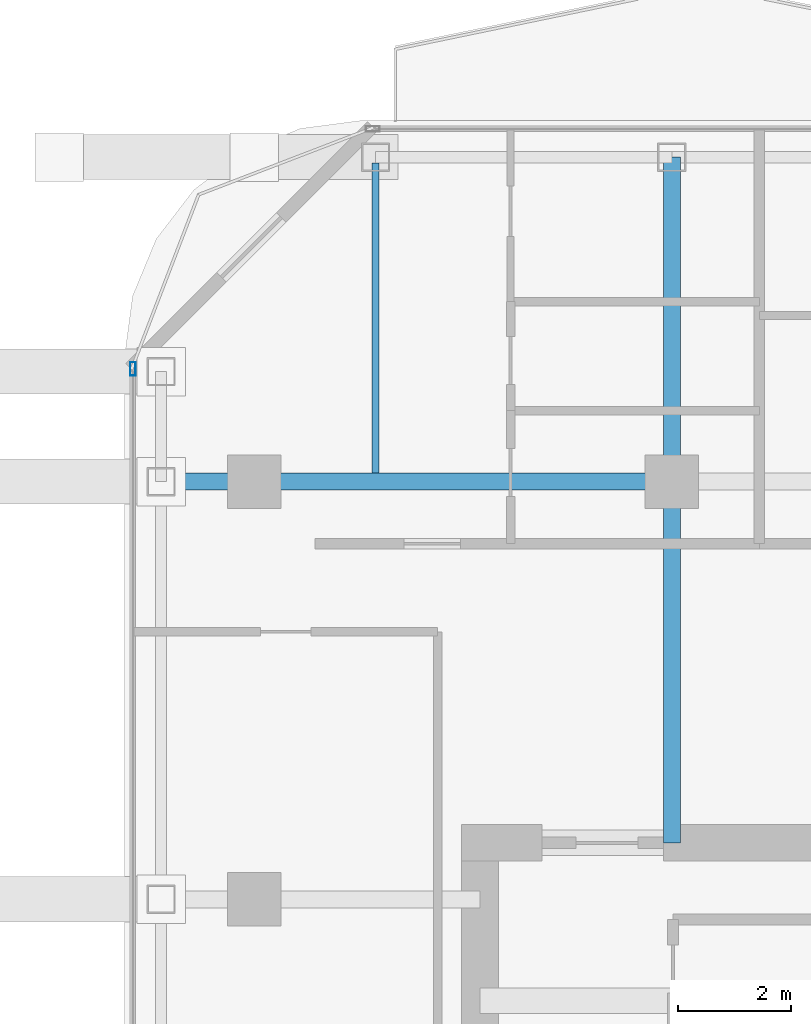
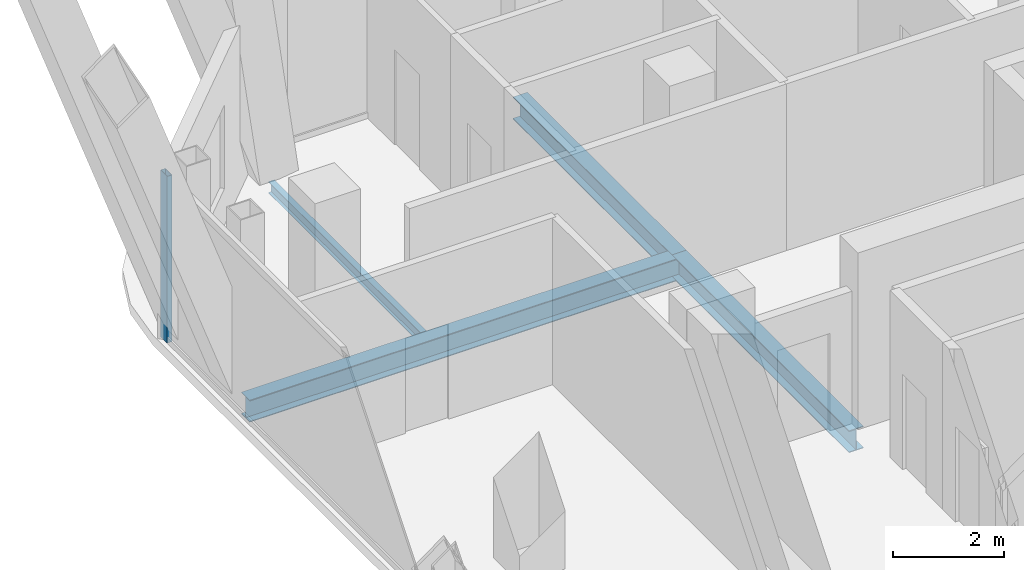
# One storey, part 11 of 27: 4 beams, 1 member, 1 element without a shape of its own.
"""IFC4 building model written with IfcOpenShell, lengths in metres."""

import ifcopenshell
import ifcopenshell.guid

model = None  # the IFC model being written
_history = None  # IfcOwnerHistory: only IFC2X3 demands one
_inside = {}  # id of a spatial element -> (the spatial element, [elements in it])
_under = {}  # id of a project, library or spatial element -> (it, [spatial elements below it])
_declared = {}  # id of a project -> (the project, [libraries it declares])
_typed = {}  # id of a type object -> (the type object, [elements of that type])
_made_of = {}  # id of a material, layer set ... -> (it, [elements and type objects made of it])


def new_model(schema):
    """Start an empty IFC model of exactly this schema.

    Asked for "IFC4X3", IfcOpenShell would pick the latest addendum, in which some entities
    have other attributes; the version numbers below select the first issue.
    IFC2X3 requires an IfcOwnerHistory on every rooted entity: one is made here for all.
    """
    global model, _history
    if schema == "IFC4X3":
        model = ifcopenshell.file(schema_version=(4, 3, 0, 0))
    else:
        model = ifcopenshell.file(schema=schema)
    _inside.clear()
    _under.clear()
    _declared.clear()
    _typed.clear()
    _made_of.clear()
    _history = None
    if model.schema == "IFC2X3":
        org = make("IfcOrganization", Name="unknown")
        user = make(
            "IfcPersonAndOrganization",
            ThePerson=make("IfcPerson", FamilyName="unknown"),
            TheOrganization=org,
        )
        app = make(
            "IfcApplication",
            ApplicationDeveloper=org,
            Version="unknown",
            ApplicationFullName="unknown",
            ApplicationIdentifier="unknown",
        )
        _history = make(
            "IfcOwnerHistory",
            OwningUser=user,
            OwningApplication=app,
            ChangeAction="ADDED",
            CreationDate=0,
        )
    return model


def make(cls, **values):
    """One entity of the class cls with the attributes given. An attribute that is None is left unset."""
    return model.create_entity(
        cls, **{name: value for name, value in values.items() if value is not None}
    )


def rooted(cls, **values):
    """An entity with a GlobalId (a new one), such as an element, a storey or a relation."""
    return make(cls, GlobalId=ifcopenshell.guid.new(), OwnerHistory=_history, **values)


def si_unit(unit_type, name, prefix=None):
    """IfcSIUnit, for example si_unit("LENGTHUNIT", "METRE", prefix="MILLI")."""
    return make("IfcSIUnit", UnitType=unit_type, Prefix=prefix, Name=name)


def assignment(units):
    """IfcUnitAssignment: the units of a project."""
    return None if units is None else make("IfcUnitAssignment", Units=units)


def point(xyz):
    """IfcCartesianPoint."""
    return None if xyz is None else make("IfcCartesianPoint", Coordinates=xyz)


def direction(xyz):
    """IfcDirection."""
    return None if xyz is None else make("IfcDirection", DirectionRatios=xyz)


def frame(location, z_axis=None, x_axis=None):
    """IfcAxis2Placement3D, a coordinate frame: its origin and axes. An axis left out is left unset."""
    return make(
        "IfcAxis2Placement3D",
        Location=point(location),
        Axis=direction(z_axis),
        RefDirection=direction(x_axis),
    )


def frame_2d(location, x_axis=None):
    """IfcAxis2Placement2D, a coordinate frame in the plane: its origin and x axis."""
    return make(
        "IfcAxis2Placement2D", Location=point(location), RefDirection=direction(x_axis)
    )


def origin():
    """The frame at (0, 0, 0) with its axes left unset."""
    return frame((0.0, 0.0, 0.0))


def origin_2d():
    """The frame at (0, 0) in the plane with its x axis left unset."""
    return frame_2d((0.0, 0.0))


def place(relative_to, where):
    """IfcLocalPlacement: puts the frame where relative to a parent placement (None: the world)."""
    return make(
        "IfcLocalPlacement", PlacementRelTo=relative_to, RelativePlacement=where
    )


def context(
    kind, dimensions, precision=None, world=None, true_north=None, identifier=None
):
    """IfcGeometricRepresentationContext, for example the 3D "Model" context."""
    return make(
        "IfcGeometricRepresentationContext",
        ContextIdentifier=identifier,
        ContextType=kind,
        CoordinateSpaceDimension=dimensions,
        Precision=precision,
        WorldCoordinateSystem=world,
        TrueNorth=true_north,
    )


def subcontext(parent, identifier, kind, view, scale=None):
    """IfcGeometricRepresentationSubContext, for example "Body" below "Model"."""
    return make(
        "IfcGeometricRepresentationSubContext",
        ContextIdentifier=identifier,
        ContextType=kind,
        ParentContext=parent,
        TargetScale=scale,
        TargetView=view,
    )


def project(units=None, contexts=None):
    """IfcProject with its units and contexts."""
    return rooted(
        "IfcProject",
        Name="project",
        RepresentationContexts=contexts,
        UnitsInContext=assignment(units),
    )


def spatial(cls, under=None, at=None, **own):
    """A site, building, storey or space (cls), placed at a placement, below another one or the project."""
    s = rooted(cls, ObjectPlacement=at, **own)
    if under is not None:
        _under.setdefault(under.id(), (under, []))[1].append(s)
    return s


def profile(cls, at=None, kind="AREA", **sizes):
    """A parametric profile (cls). Its sizes go by their IFC names, for example OverallWidth=200.0."""
    return make(cls, ProfileType=kind, Position=at, **sizes)


def hollow_rectangle(**sizes):
    """IfcRectangleHollowProfileDef."""
    return profile("IfcRectangleHollowProfileDef", **sizes)


def i_section(**sizes):
    """IfcIShapeProfileDef."""
    return profile("IfcIShapeProfileDef", **sizes)


def extrude(swept, where, along, depth):
    """IfcExtrudedAreaSolid: the profile swept, set in the frame where, extruded along a direction by depth."""
    return make(
        "IfcExtrudedAreaSolid",
        SweptArea=swept,
        Position=where,
        ExtrudedDirection=direction(along),
        Depth=depth,
    )


def shape(context_of_items, identifier, shape_type, items):
    """IfcShapeRepresentation: the items that make up one representation, for example the "Body"."""
    return make(
        "IfcShapeRepresentation",
        ContextOfItems=context_of_items,
        RepresentationIdentifier=identifier,
        RepresentationType=shape_type,
        Items=items,
    )


def material(Name=None, Category=None):
    """IfcMaterial."""
    return make("IfcMaterial", Name=Name, Category=Category)


def layer(
    of_material, thickness, ventilated=None, Name=None, Category=None, Priority=None
):
    """IfcMaterialLayer: one layer of a wall or slab, of a material (None: an air gap)."""
    return make(
        "IfcMaterialLayer",
        Material=of_material,
        LayerThickness=thickness,
        IsVentilated=ventilated,
        Name=Name,
        Category=Category,
        Priority=Priority,
    )


def layer_set(layers, Name=None):
    """IfcMaterialLayerSet."""
    return make("IfcMaterialLayerSet", MaterialLayers=layers, LayerSetName=Name)


def material_profile(
    of_material, cross_section, Name=None, Category=None, Priority=None
):
    """IfcMaterialProfile: a cross section and its material."""
    return make(
        "IfcMaterialProfile",
        Name=Name,
        Material=of_material,
        Profile=cross_section,
        Priority=Priority,
        Category=Category,
    )


def profile_set(profiles, Name=None, composite=None):
    """IfcMaterialProfileSet."""
    return make(
        "IfcMaterialProfileSet",
        Name=Name,
        MaterialProfiles=profiles,
        CompositeProfile=composite,
    )


def made_of(thing, what):
    """Note that an element or type object is made of a material, layer set ...; save() writes the relation."""
    if what is not None:
        _made_of.setdefault(what.id(), (what, []))[1].append(thing)
    return thing


def type_object(cls, material=None, **own):
    """A type object (cls), such as IfcWallType, which elements share."""
    return made_of(rooted(cls, **own), material)


def element(
    cls,
    number,
    at=None,
    inside=None,
    cuts=None,
    type_object=None,
    material=None,
    context=None,
    identifier="Body",
    shape_type=None,
    held_by="IfcProductDefinitionShape",
    body=None,
    shapes=None,
    **own,
):
    """One element of the class cls, such as IfcWall. Its Tag is "e" and its number.

    at: its placement. inside: the storey or other place that contains it. cuts: it is an
    opening in that element (IfcRelVoidsElement). A single representation is given by context,
    identifier, shape_type and body (its items); several are given by shapes. held_by: the class
    of the entity that holds the representations. save() writes the other relations.
    """
    e = rooted(cls, Tag="e%d" % number, ObjectPlacement=at, **own)
    if body is not None:
        shapes = [shape(context, identifier, shape_type, body)]
    if shapes is not None:
        e.Representation = make(held_by, Representations=shapes)
    if inside is not None:
        _inside.setdefault(inside.id(), (inside, []))[1].append(e)
    if cuts is not None:
        rooted(
            "IfcRelVoidsElement", RelatingBuildingElement=cuts, RelatedOpeningElement=e
        )
    if type_object is not None:
        _typed.setdefault(type_object.id(), (type_object, []))[1].append(e)
    return made_of(e, material)


def aggregate(whole, parts):
    """IfcRelAggregates: a whole, such as a stair, and the parts it consists of."""
    return rooted("IfcRelAggregates", RelatingObject=whole, RelatedObjects=parts)


def save(model, path):
    """Write the relations noted so far, then the file.

    IfcRelAggregates (storeys below a building ...), IfcRelContainedInSpatialStructure (elements
    in a storey), IfcRelDefinesByType, IfcRelAssociatesMaterial and IfcRelDeclares: one each for
    every whole, place, type object, material and project.
    """
    for whole, parts in _under.values():
        aggregate(whole, parts)
    for where, things in _inside.values():
        rooted(
            "IfcRelContainedInSpatialStructure",
            RelatedElements=things,
            RelatingStructure=where,
        )
    for kind, things in _typed.values():
        rooted("IfcRelDefinesByType", RelatedObjects=things, RelatingType=kind)
    for what, things in _made_of.values():
        rooted("IfcRelAssociatesMaterial", RelatedObjects=things, RelatingMaterial=what)
    for by, libraries in _declared.values():
        rooted("IfcRelDeclares", RelatingContext=by, RelatedDefinitions=libraries)
    model.write(path)


model = new_model("IFC4")

# Units and contexts
model_context = context("Model", 3, precision=1e-05, world=origin(), true_north=direction((0.0, 1.0)))
body_context = subcontext(model_context, "Body", "Model", "MODEL_VIEW")
ifc_project = project(units=[si_unit("LENGTHUNIT", "METRE"), si_unit("AREAUNIT", "SQUARE_METRE"), si_unit("VOLUMEUNIT", "CUBIC_METRE"), si_unit("PLANEANGLEUNIT", "RADIAN"), si_unit("MASSUNIT", "GRAM", prefix="KILO")], contexts=[model_context])

# Site, building, storey
site_placement = place(None, origin())
site = spatial("IfcSite", under=ifc_project, at=site_placement, CompositionType="ELEMENT")
building_placement = place(site_placement, origin())
building = spatial("IfcBuilding", under=site, at=building_placement, Name="Khorvyn Point Tower", CompositionType="ELEMENT")
storey_placement = place(building_placement, frame((0.0, 0.0, 270.300048828125)))
storey = spatial("IfcBuildingStorey", under=building, at=storey_placement, Name="L66", CompositionType="ELEMENT", Elevation=270.300048828125)

# Curtain wall, member
ifc_material_1 = material(Name="Anodised aluminium 6063-T6 and laminated Low-E glass", Category="aluminium")
ifc_layer = layer(ifc_material_1, 0.18994140625)
ifc_layer_set = layer_set([ifc_layer], Name="Stick-Built High-Wind Curtain Wall CW-SYS-04")
curtain_wall_type = type_object("IfcCurtainWallType", Name="Stick-Built High-Wind Curtain Wall CW-SYS-04", PredefinedType="NOTDEFINED", material=ifc_layer_set)
curtain_wall_placement = place(storey_placement, origin())
curtain_wall = element("IfcCurtainWall", 1, at=curtain_wall_placement, inside=storey, type_object=curtain_wall_type, Name="Curtain Wall", PredefinedType="NOTDEFINED")
ifc_material_2 = material(Name="Anodised aluminium 6063-T6", Category="aluminium")
ifc_material_profile_1 = material_profile(ifc_material_2, hollow_rectangle(XDim=0.10009765625, YDim=0.239990234375, WallThickness=0.0048828125, at=origin_2d()))
ifc_profile_set_1 = profile_set([ifc_material_profile_1], Name="Anodised aluminium 6063-T6 ALU-MUL-100x240")
member_type = type_object("IfcMemberType", Name="Anodised Aluminium 6063-T6 Mullion ALU-MUL-100x240", PredefinedType="MULLION", material=ifc_profile_set_1)
member_placement = place(storey_placement, frame((-16.949951171875, 16.800048828125, 0.0), z_axis=(0.0, 0.0, 1.0), x_axis=(-1.0, 0.0, 0.0)))
member = element("IfcMember", 2, at=member_placement, type_object=member_type, Name="Transom", PredefinedType="MULLION", context=body_context, shape_type="SweptSolid", body=[
    extrude(hollow_rectangle(XDim=0.10009765625, YDim=0.239990234375, WallThickness=0.0048828125, at=origin_2d()), origin(), (0.0, 0.0, 1.0), 3.679931640625),
])
aggregate(curtain_wall, [member])

# Beams
ifc_material_3 = material(Name="Steel S355", Category="steel")
ifc_material_profile_2 = material_profile(ifc_material_3, i_section(OverallWidth=0.125, OverallDepth=0.25, WebThickness=0.006103515625, FlangeThickness=0.009033203125, at=origin_2d()))
ifc_profile_set_2 = profile_set([ifc_material_profile_2], Name="Steel S355 H250x125x6x9")
beam_type_1 = type_object("IfcBeamType", Name="Steel S355 Joist H250x125x6x9", PredefinedType="JOIST", material=ifc_profile_set_2)
beam_1_placement = place(storey_placement, frame((-12.64990234375, 14.949951171875, -0.344970703125), z_axis=(0.0, 1.0, 0.0), x_axis=(-1.0, 0.0, 0.0)))
element("IfcBeam", 3, at=beam_1_placement, inside=storey, type_object=beam_type_1, Name="Beam", PredefinedType="JOIST", context=body_context, shape_type="SweptSolid", body=[
    extrude(i_section(OverallWidth=0.125, OverallDepth=0.25, WebThickness=0.006103515625, FlangeThickness=0.009033203125, at=origin_2d()), origin(), (0.0, 0.0, 1.0), 5.5),
])
ifc_material_profile_3 = material_profile(ifc_material_3, i_section(OverallWidth=0.300048828125, OverallDepth=0.488037109375, WebThickness=0.010986328125, FlangeThickness=0.01806640625, at=origin_2d()))
ifc_profile_set_3 = profile_set([ifc_material_profile_3], Name="Steel S355 H488x300x11x18")
beam_type_2 = type_object("IfcBeamType", Name="Steel S355 Spandrel H488x300x11x18", PredefinedType="SPANDREL", material=ifc_profile_set_3)
beam_2_placement = place(storey_placement, frame((-16.449951171875, 14.800048828125, -0.464111328125), z_axis=(1.0, 0.0, 0.0), x_axis=(0.0, 1.0, 0.0)))
element("IfcBeam", 4, at=beam_2_placement, inside=storey, type_object=beam_type_2, Name="Beam", PredefinedType="SPANDREL", context=body_context, shape_type="SweptSolid", body=[
    extrude(i_section(OverallWidth=0.300048828125, OverallDepth=0.488037109375, WebThickness=0.010986328125, FlangeThickness=0.01806640625, at=origin_2d()), origin(), (0.0, 0.0, 1.0), 9.050048828125),
])
beam_3_placement = place(storey_placement, frame((-7.39990234375, 8.39990234375, -0.464111328125), z_axis=(0.0, 1.0, 0.0), x_axis=(-1.0, 0.0, 0.0)))
element("IfcBeam", 5, at=beam_3_placement, inside=storey, type_object=beam_type_2, Name="Beam", PredefinedType="SPANDREL", context=body_context, shape_type="SweptSolid", body=[
    extrude(i_section(OverallWidth=0.300048828125, OverallDepth=0.488037109375, WebThickness=0.010986328125, FlangeThickness=0.01806640625, at=origin_2d()), origin(), (0.0, 0.0, 1.0), 6.400146484375),
])
beam_4_placement = place(storey_placement, frame((-7.39990234375, 14.800048828125, -0.464111328125), z_axis=(0.0, 1.0, 0.0), x_axis=(-1.0, 0.0, 0.0)))
element("IfcBeam", 6, at=beam_4_placement, inside=storey, type_object=beam_type_2, Name="Beam", PredefinedType="SPANDREL", context=body_context, shape_type="SweptSolid", body=[
    extrude(i_section(OverallWidth=0.300048828125, OverallDepth=0.488037109375, WebThickness=0.010986328125, FlangeThickness=0.01806640625, at=origin_2d()), origin(), (0.0, 0.0, 1.0), 5.75),
])

save(model, "model.ifc")
